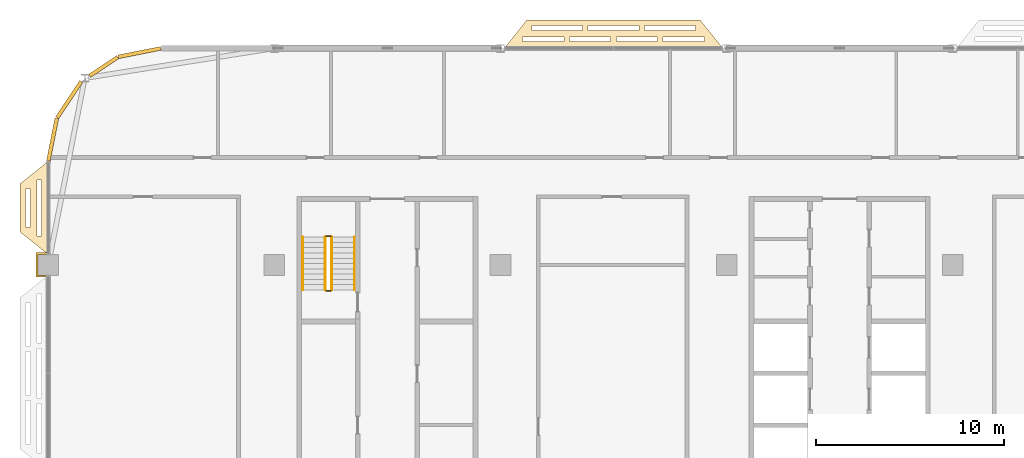
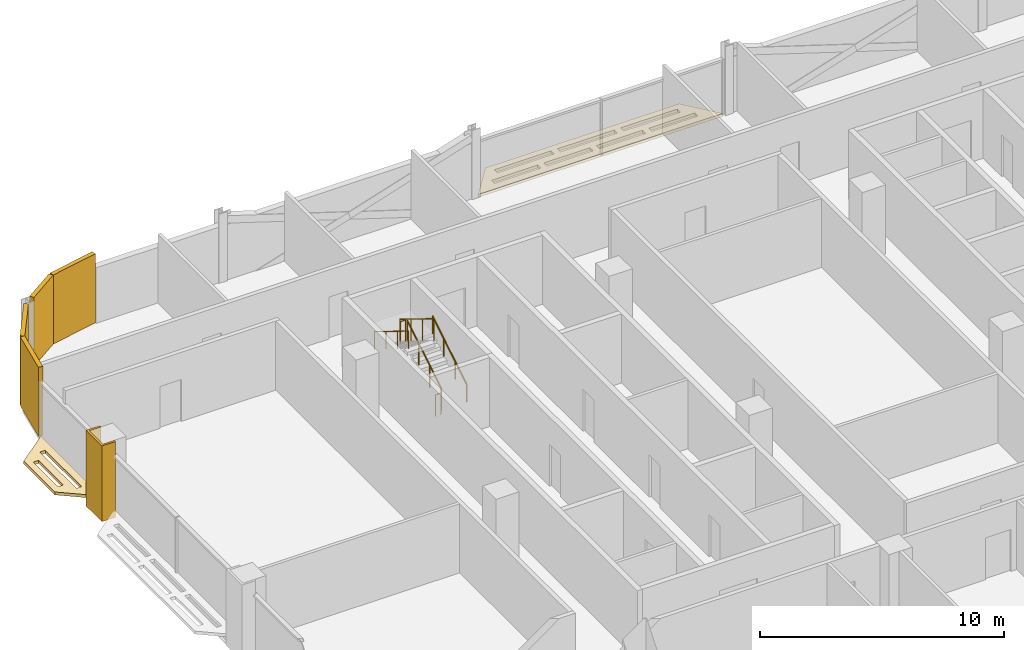
# One storey, part 27 of 30: 7 coverings, 6 railings.
"""IFC4 building model written with IfcOpenShell, lengths in metres."""

from ifc_helpers import new_model, si_unit, direction, frame, origin, origin_2d, place, context, subcontext, project, spatial, polyline, rectangle, circle, outline, extrude, material, layer, layer_set, type_object, element, save


model = new_model("IFC4")

# Units and contexts
model_context = context("Model", 3, precision=1e-05, world=origin(), true_north=direction((0.0, 1.0)))
body_context = subcontext(model_context, "Body", "Model", "MODEL_VIEW")
ifc_project = project(units=[si_unit("LENGTHUNIT", "METRE"), si_unit("AREAUNIT", "SQUARE_METRE"), si_unit("VOLUMEUNIT", "CUBIC_METRE"), si_unit("PLANEANGLEUNIT", "RADIAN"), si_unit("MASSUNIT", "GRAM", prefix="KILO")], contexts=[model_context])

# Site, building, storey
site_placement = place(None, origin())
site = spatial("IfcSite", under=ifc_project, at=site_placement, CompositionType="ELEMENT")
building_placement = place(site_placement, origin())
building = spatial("IfcBuilding", under=site, at=building_placement, Name="Mahtab Terrace Research Tower", CompositionType="ELEMENT")
storey_placement = place(building_placement, frame((0.0, 0.0, 201.5)))
storey = spatial("IfcBuildingStorey", under=building, at=storey_placement, Name="L48", CompositionType="ELEMENT", Elevation=201.5)

# Coverings
ifc_material_1 = material(Name="Black aluminium cladding panel", Category="aluminium")
ifc_layer_1 = layer(ifc_material_1, 0.199951171875)
ifc_layer_set_1 = layer_set([ifc_layer_1], Name="Black metal corner cladding 200")
covering_type_1 = type_object("IfcCoveringType", Name="Black metal corner cladding 200", PredefinedType="CLADDING", material=ifc_layer_set_1)
covering_1_placement = place(storey_placement, frame((-37.14794921875, 22.771484375, 0.0), z_axis=(0.0, 0.0, 1.0), x_axis=(-0.980760981187, -0.195212442692, 0.0)))
element("IfcCovering", 1, at=covering_1_placement, inside=storey, type_object=covering_type_1, Name="Corner cladding L48 11", PredefinedType="CLADDING", context=body_context, shape_type="SweptSolid", body=[
    extrude(rectangle(XDim=2.30126953125, YDim=0.199951171875, at=origin_2d()), origin(), (0.0, 0.0, 1.0), 3.4599609375),
])
covering_2_placement = place(storey_placement, frame((-39.059814453125, 22.032958984375, 0.0), z_axis=(0.0, 0.0, 1.0), x_axis=(-0.831655794326, -0.555291490808, 0.0)))
element("IfcCovering", 2, at=covering_2_placement, inside=storey, type_object=covering_type_1, Name="Corner cladding L48 12", PredefinedType="CLADDING", context=body_context, shape_type="SweptSolid", body=[
    extrude(rectangle(XDim=1.797119140625, YDim=0.199951171875, at=origin_2d()), origin(), (0.0, 0.0, 1.0), 3.4599609375),
])
for number, where, z_axis, x_axis, name in (
    (3, (-40.89306640625, 20.26953125, 0.0), (0.0, 0.0, 1.0), (-0.555291490808, -0.831655794326, 0.0), "Corner cladding L48 13"),
    (4, (-41.771484375, 18.14794921875, 0.0), (0.0, 0.0, 1.0), (-0.195212442692, -0.980760981187, 0.0), "Corner cladding L48 14"),
):
    element("IfcCovering", number, at=place(storey_placement, frame(where, z_axis=z_axis, x_axis=x_axis)), inside=storey, type_object=covering_type_1, Name=name, PredefinedType="CLADDING", context=body_context, shape_type="SweptSolid", body=[
        extrude(rectangle(XDim=2.30126953125, YDim=0.199951171875, at=origin_2d()), origin(), (0.0, 0.0, 1.0), 3.4599609375),
    ])
ifc_material_2 = material(Name="Dark anodised aluminium cladding", Category="aluminium")
ifc_layer_2 = layer(ifc_material_2, 0.10009765625)
ifc_layer_set_2 = layer_set([ifc_layer_2], Name="Column casing 100")
covering_type_2 = type_object("IfcCoveringType", Name="Column casing 100", PredefinedType="CLADDING", material=ifc_layer_set_2)
covering_3_placement = place(storey_placement, frame((0.0, 0.0, -0.340087890625)))
element("IfcCovering", 5, at=covering_3_placement, inside=storey, type_object=covering_type_2, Name="Column casing RC-1C L48", PredefinedType="CLADDING", context=body_context, shape_type="SweptSolid", body=[
    extrude(outline(polyline([(-42.64990234375, 12.14990234375), (-42.0, 12.14990234375), (-42.0, 12.050048828125), (-42.550048828125, 12.050048828125), (-42.550048828125, 10.949951171875), (-42.0, 10.949951171875), (-42.0, 10.85009765625), (-42.64990234375, 10.85009765625), (-42.64990234375, 12.14990234375)])), origin(), (0.0, 0.0, 1.0), 3.800048828125),
])
ifc_material_3 = material(Name="Black anodised aluminium", Category="aluminium")
ifc_layer_3 = layer(ifc_material_3, 0.14990234375)
ifc_layer_set_3 = layer_set([ifc_layer_3], Name="Horizontal sunshade band")
covering_type_3 = type_object("IfcCoveringType", Name="Horizontal sunshade band", PredefinedType="CLADDING", material=ifc_layer_set_3)
covering_4_placement = place(storey_placement, frame((0.0, 0.0, -0.14990234375)))
element("IfcCovering", 6, at=covering_4_placement, inside=storey, type_object=covering_type_3, Name="Sunshade band L48 8", PredefinedType="CLADDING", context=body_context, shape_type="SweptSolid", body=[
    extrude(outline(polyline([(-6.199951171875, 23.0), (-17.800048828125, 23.0), (-16.60009765625, 24.5), (-7.39990234375, 24.5), (-6.199951171875, 23.0)]), holes=[polyline([(-7.179931640625, 23.35009765625), (-9.364990234375, 23.35009765625), (-9.364990234375, 23.60009765625), (-7.179931640625, 23.60009765625), (-7.179931640625, 23.35009765625)]), polyline([(-9.6650390625, 23.35009765625), (-11.85009765625, 23.35009765625), (-11.85009765625, 23.60009765625), (-9.6650390625, 23.60009765625), (-9.6650390625, 23.35009765625)]), polyline([(-12.14990234375, 23.35009765625), (-14.3349609375, 23.35009765625), (-14.3349609375, 23.60009765625), (-12.14990234375, 23.60009765625), (-12.14990234375, 23.35009765625)]), polyline([(-14.635009765625, 23.35009765625), (-16.820068359375, 23.35009765625), (-16.820068359375, 23.60009765625), (-14.635009765625, 23.60009765625), (-14.635009765625, 23.35009765625)]), polyline([(-7.659912109375, 23.949951171875), (-10.35302734375, 23.949951171875), (-10.35302734375, 24.199951171875), (-7.659912109375, 24.199951171875), (-7.659912109375, 23.949951171875)]), polyline([(-10.653076171875, 23.949951171875), (-13.346923828125, 23.949951171875), (-13.346923828125, 24.199951171875), (-10.653076171875, 24.199951171875), (-10.653076171875, 23.949951171875)]), polyline([(-13.64697265625, 23.949951171875), (-16.340087890625, 23.949951171875), (-16.340087890625, 24.199951171875), (-13.64697265625, 24.199951171875), (-13.64697265625, 23.949951171875)])]), origin(), (0.0, 0.0, 1.0), 0.14990234375),
])
covering_5_placement = place(storey_placement, frame((0.0, 0.0, -0.14990234375)))
element("IfcCovering", 7, at=covering_5_placement, inside=storey, type_object=covering_type_3, Name="Sunshade band L48 15", PredefinedType="CLADDING", context=body_context, shape_type="SweptSolid", body=[
    extrude(outline(polyline([(-42.0, 17.0), (-42.0, 12.050048828125), (-43.5, 13.25), (-43.5, 15.800048828125), (-42.0, 17.0)]), holes=[polyline([(-42.35009765625, 16.02001953125), (-42.35009765625, 13.030029296875), (-42.60009765625, 13.030029296875), (-42.60009765625, 16.02001953125), (-42.35009765625, 16.02001953125)]), polyline([(-42.949951171875, 15.5400390625), (-42.949951171875, 13.510009765625), (-43.199951171875, 13.510009765625), (-43.199951171875, 15.5400390625), (-42.949951171875, 15.5400390625)])]), origin(), (0.0, 0.0, 1.0), 0.14990234375),
])

# Railings
ifc_material_4 = material(Name="Stainless steel AISI 304", Category="steel")
railing_type_1 = type_object("IfcRailingType", Name="Stair guard 1100", PredefinedType="GUARDRAIL", material=ifc_material_4)
railing_1_placement = place(storey_placement, frame((-26.949951171875, 10.175048828125, 0.172607421875)))
element("IfcRailing", 8, at=railing_1_placement, inside=storey, type_object=railing_type_1, Name="L48 ST1 stair guard 1", PredefinedType="GUARDRAIL", context=body_context, shape_type="SweptSolid", body=[
    extrude(circle(Radius=0.02392578125, at=origin_2d()), frame((0.0, 0.0, 1.076171875), z_axis=(0.0, 0.851089632645, 0.525020415988), x_axis=(-1.0, 0.0, 0.0)), (0.0, 0.0, 1.0), 3.2900390625),
    extrude(circle(Radius=0.02099609375, at=origin_2d()), origin(), (0.0, 0.0, 1.0), 1.052001953125),
    extrude(circle(Radius=0.02099609375, at=origin_2d()), frame((0.0, 0.933349609375, 0.57568359375)), (0.0, 0.0, 1.0), 1.052001953125),
    extrude(circle(Radius=0.02099609375, at=origin_2d()), frame((0.0, 1.86669921875, 1.151611328125)), (0.0, 0.0, 1.0), 1.052001953125),
    extrude(circle(Radius=0.02099609375, at=origin_2d()), frame((0.0, 2.800048828125, 1.727294921875)), (0.0, 0.0, 1.0), 1.052001953125),
])
railing_2_placement = place(storey_placement, frame((-27.0, 13.02490234375, 1.89990234375)))
element("IfcRailing", 9, at=railing_2_placement, inside=storey, type_object=railing_type_1, Name="L48 ST1 stair guard 2", PredefinedType="GUARDRAIL", context=body_context, shape_type="SweptSolid", body=[
    extrude(circle(Radius=0.02392578125, at=origin_2d()), frame((0.0, 0.0, 1.076171875), z_axis=(-1.0, 0.0, 0.0), x_axis=(0.0, -1.0, 0.0)), (0.0, 0.0, 1.0), 0.25),
    extrude(circle(Radius=0.02099609375, at=origin_2d()), origin(), (0.0, 0.0, 1.0), 1.052001953125),
    extrude(circle(Radius=0.02099609375, at=origin_2d()), frame((-0.25, 0.0, 0.0)), (0.0, 0.0, 1.0), 1.052001953125),
])
railing_3_placement = place(storey_placement, frame((-27.300048828125, 12.97509765625, 2.07275390625)))
element("IfcRailing", 10, at=railing_3_placement, inside=storey, type_object=railing_type_1, Name="L48 ST1 stair guard 3", PredefinedType="GUARDRAIL", context=body_context, shape_type="SweptSolid", body=[
    extrude(circle(Radius=0.02392578125, at=origin_2d()), frame((0.0, 0.0, 1.076171875), z_axis=(0.0, -0.851089632645, 0.525020415988), x_axis=(1.0, 0.0, 0.0)), (0.0, 0.0, 1.0), 3.2900390625),
    extrude(circle(Radius=0.02099609375, at=origin_2d()), origin(), (0.0, 0.0, 1.0), 1.052001953125),
    extrude(circle(Radius=0.02099609375, at=origin_2d()), frame((0.0, -0.933349609375, 0.57568359375)), (0.0, 0.0, 1.0), 1.052001953125),
    extrude(circle(Radius=0.02099609375, at=origin_2d()), frame((0.0, -1.86669921875, 1.151611328125)), (0.0, 0.0, 1.0), 1.052001953125),
    extrude(circle(Radius=0.02099609375, at=origin_2d()), frame((0.0, -2.800048828125, 1.727294921875)), (0.0, 0.0, 1.0), 1.052001953125),
])
railing_4_placement = place(storey_placement, frame((-27.0, 10.125, 0.0)))
element("IfcRailing", 11, at=railing_4_placement, inside=storey, type_object=railing_type_1, Name="L48 ST1 stair guard 4", PredefinedType="GUARDRAIL", context=body_context, shape_type="SweptSolid", body=[
    extrude(circle(Radius=0.02392578125, at=origin_2d()), frame((0.0, 0.0, 1.076171875), z_axis=(-1.0, 0.0, 0.0), x_axis=(0.0, -1.0, 0.0)), (0.0, 0.0, 1.0), 0.25),
    extrude(circle(Radius=0.02099609375, at=origin_2d()), origin(), (0.0, 0.0, 1.0), 1.052001953125),
    extrude(circle(Radius=0.02099609375, at=origin_2d()), frame((-0.25, 0.0, 0.0)), (0.0, 0.0, 1.0), 1.052001953125),
])
railing_type_2 = type_object("IfcRailingType", Name="Stair handrail 900", PredefinedType="HANDRAIL", material=ifc_material_4)
railing_5_placement = place(storey_placement, frame((-25.75, 10.175048828125, 0.172607421875)))
element("IfcRailing", 12, at=railing_5_placement, inside=storey, type_object=railing_type_2, Name="L48 ST1 stair handrail 1", PredefinedType="HANDRAIL", context=body_context, shape_type="SweptSolid", body=[
    extrude(circle(Radius=0.02392578125, at=origin_2d()), frame((0.0, 0.0, 0.8759765625), z_axis=(0.0, 0.851089632645, 0.525020415988), x_axis=(-1.0, 0.0, 0.0)), (0.0, 0.0, 1.0), 3.2900390625),
    extrude(circle(Radius=0.02099609375, at=origin_2d()), origin(), (0.0, 0.0, 1.0), 0.851806640625),
    extrude(circle(Radius=0.02099609375, at=origin_2d()), frame((0.0, 0.933349609375, 0.57568359375)), (0.0, 0.0, 1.0), 0.851806640625),
    extrude(circle(Radius=0.02099609375, at=origin_2d()), frame((0.0, 1.86669921875, 1.151611328125)), (0.0, 0.0, 1.0), 0.851806640625),
    extrude(circle(Radius=0.02099609375, at=origin_2d()), frame((0.0, 2.800048828125, 1.727294921875)), (0.0, 0.0, 1.0), 0.851806640625),
])
railing_6_placement = place(storey_placement, frame((-28.5, 12.97509765625, 2.07275390625)))
element("IfcRailing", 13, at=railing_6_placement, inside=storey, type_object=railing_type_2, Name="L48 ST1 stair handrail 2", PredefinedType="HANDRAIL", context=body_context, shape_type="SweptSolid", body=[
    extrude(circle(Radius=0.02392578125, at=origin_2d()), frame((0.0, 0.0, 0.8759765625), z_axis=(0.0, -0.851089632645, 0.525020415988), x_axis=(1.0, 0.0, 0.0)), (0.0, 0.0, 1.0), 3.2900390625),
    extrude(circle(Radius=0.02099609375, at=origin_2d()), origin(), (0.0, 0.0, 1.0), 0.851806640625),
    extrude(circle(Radius=0.02099609375, at=origin_2d()), frame((0.0, -0.933349609375, 0.57568359375)), (0.0, 0.0, 1.0), 0.851806640625),
    extrude(circle(Radius=0.02099609375, at=origin_2d()), frame((0.0, -1.86669921875, 1.151611328125)), (0.0, 0.0, 1.0), 0.851806640625),
    extrude(circle(Radius=0.02099609375, at=origin_2d()), frame((0.0, -2.800048828125, 1.727294921875)), (0.0, 0.0, 1.0), 0.851806640625),
])

save(model, "model.ifc")
